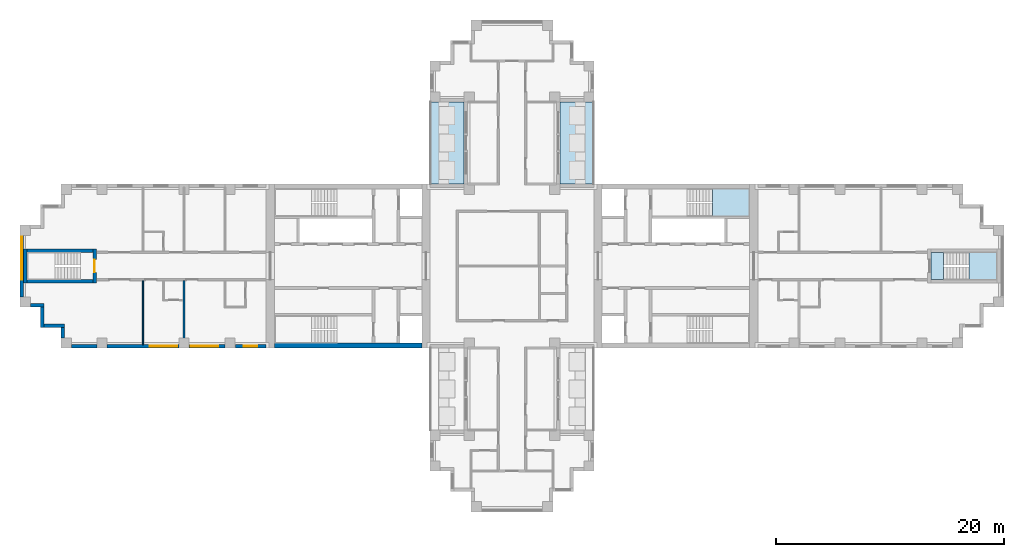
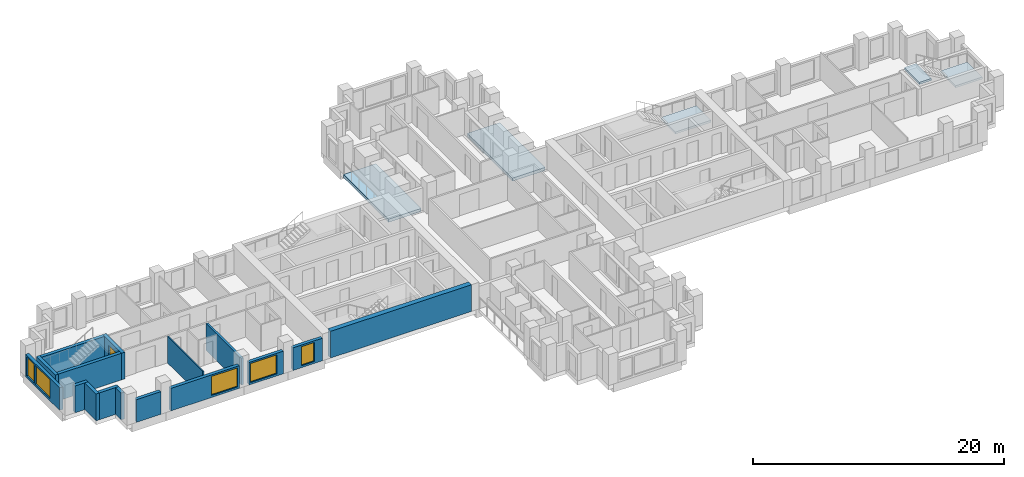
# One storey, part 2 of 12: 16 walls, 5 slabs, 5 windows, 1 door, 6 openings, 2 elements without a shape of their own.
"""IFC4 building model written with IfcOpenShell, lengths in metres."""

from ifc_helpers import new_model, si_unit, direction, frame, frame_2d, origin, place, context, subcontext, project, spatial, polyline, rectangle, outline, extrude, material, layer, layer_set, type_object, element, fill, aggregate, save


model = new_model("IFC4")

# Units and contexts
model_context = context("Model", 3, precision=1e-05, world=origin(), true_north=direction((0.0, 1.0)))
body_context = subcontext(model_context, "Body", "Model", "MODEL_VIEW")
ifc_project = project(units=[si_unit("LENGTHUNIT", "METRE"), si_unit("AREAUNIT", "SQUARE_METRE"), si_unit("VOLUMEUNIT", "CUBIC_METRE"), si_unit("PLANEANGLEUNIT", "RADIAN"), si_unit("MASSUNIT", "GRAM", prefix="KILO")], contexts=[model_context])

# Site, building, storey
site_placement = place(None, origin())
site = spatial("IfcSite", under=ifc_project, at=site_placement, CompositionType="ELEMENT")
building_placement = place(site_placement, origin())
building = spatial("IfcBuilding", under=site, at=building_placement, Name="Fustian Cross Tower", CompositionType="ELEMENT")
storey_placement = place(building_placement, frame((0.0, 0.0, 135.300048828125)))
storey = spatial("IfcBuildingStorey", under=building, at=storey_placement, Name="L42", CompositionType="ELEMENT", Elevation=135.300048828125)

# Slabs
ifc_material_1 = material(Name="Concrete C40/50", Category="concrete")
ifc_layer_1 = layer(ifc_material_1, 0.300048828125)
ifc_layer_set_1 = layer_set([ifc_layer_1], Name="Concrete C40/50")
slab_type_1 = type_object("IfcSlabType", Name="BS1 BALCONY SLAB 300", PredefinedType="FLOOR", material=ifc_layer_set_1)
slab_1_placement = place(storey_placement, frame((0.0, 0.0, -0.300048828125)))
element("IfcSlab", 1, at=slab_1_placement, inside=storey, type_object=slab_type_1, Name="Balcony slab", PredefinedType="FLOOR", context=body_context, shape_type="SweptSolid", body=[
    extrude(outline(polyline([(4.199951171875, 7.199951171875), (7.199951171875, 7.199951171875), (7.199951171875, 14.39990234375), (4.199951171875, 14.39990234375), (4.199951171875, 7.199951171875)])), origin(), (0.0, 0.0, 1.0), 0.300048828125),
])
slab_2_placement = place(storey_placement, frame((0.0, 0.0, -0.300048828125)))
element("IfcSlab", 2, at=slab_2_placement, inside=storey, type_object=slab_type_1, Name="Balcony slab", PredefinedType="FLOOR", context=body_context, shape_type="SweptSolid", body=[
    extrude(outline(polyline([(-7.199951171875, 7.199951171875), (-4.199951171875, 7.199951171875), (-4.199951171875, 14.39990234375), (-7.199951171875, 14.39990234375), (-7.199951171875, 7.199951171875)])), origin(), (0.0, 0.0, 1.0), 0.300048828125),
])

# Stair, slab
ifc_material_2 = material(Name="Concrete C50/60", Category="concrete")
stair_type_1 = type_object("IfcStairType", Name="STAIR 1150 HALF TURN", PredefinedType="HALF_TURN_STAIR", material=ifc_material_2)
stair_1_placement = place(storey_placement, origin())
stair_1 = element("IfcStair", 3, at=stair_1_placement, inside=storey, type_object=stair_type_1, Name="Stair ST1", PredefinedType="HALF_TURN_STAIR")
ifc_material_3 = material(Name="Concrete C50/60", Category="concrete")
ifc_layer_2 = layer(ifc_material_3, 0.199951171875)
ifc_layer_set_2 = layer_set([ifc_layer_2], Name="Concrete C50/60")
slab_type_2 = type_object("IfcSlabType", Name="STAIR LANDING", PredefinedType="LANDING", material=ifc_layer_set_2)
slab_3_placement = place(storey_placement, frame((0.0, 0.0, 1.300048828125)))
slab_3 = element("IfcSlab", 4, at=slab_3_placement, type_object=slab_type_2, Name="ST1 landing 1", PredefinedType="LANDING", context=body_context, shape_type="SweptSolid", body=[
    extrude(outline(polyline([(17.590087890625, 4.39990234375), (20.85009765625, 4.39990234375), (20.85009765625, 6.75), (17.590087890625, 6.75), (17.590087890625, 4.39990234375)])), origin(), (0.0, 0.0, 1.0), 0.199951171875),
])
aggregate(stair_1, [slab_3])

# Stair, slabs
ifc_material_4 = material(Name="Concrete C50/60", Category="concrete")
stair_type_2 = type_object("IfcStairType", Name="STAIR 1100 HALF TURN", PredefinedType="HALF_TURN_STAIR", material=ifc_material_4)
stair_2_placement = place(storey_placement, origin())
stair_2 = element("IfcStair", 5, at=stair_2_placement, inside=storey, type_object=stair_type_2, Name="Stair ST8", PredefinedType="HALF_TURN_STAIR")
slab_4_placement = place(storey_placement, frame((0.0, 0.0, 1.300048828125)))
slab_4 = element("IfcSlab", 6, at=slab_4_placement, type_object=slab_type_2, Name="ST8 landing 1", PredefinedType="LANDING", context=body_context, shape_type="SweptSolid", body=[
    extrude(outline(polyline([(40.139892578125, -1.199951171875), (42.60009765625, -1.199951171875), (42.60009765625, 1.199951171875), (40.139892578125, 1.199951171875), (40.139892578125, -1.199951171875)])), origin(), (0.0, 0.0, 1.0), 0.199951171875),
])
slab_5_placement = place(storey_placement, frame((0.0, 0.0, 2.800048828125)))
slab_5 = element("IfcSlab", 7, at=slab_5_placement, type_object=slab_type_2, Name="ST8 landing 2", PredefinedType="LANDING", context=body_context, shape_type="SweptSolid", body=[
    extrude(outline(polyline([(36.800048828125, -1.199951171875), (37.89990234375, -1.199951171875), (37.89990234375, 1.199951171875), (36.800048828125, 1.199951171875), (36.800048828125, -1.199951171875)])), origin(), (0.0, 0.0, 1.0), 0.199951171875),
])
aggregate(stair_2, [slab_4, slab_5])

# Walls
ifc_material_5 = material(Name="Concrete C60/75", Category="concrete")
ifc_layer_3 = layer(ifc_material_5, 0.449951171875)
ifc_layer_set_3 = layer_set([ifc_layer_3], Name="Concrete C60/75")
wall_type_1 = type_object("IfcWallType", Name="CORE FACADE WALL 450 C60/75", PredefinedType="SHEAR", material=ifc_layer_set_3)
wall_1_placement = place(storey_placement, frame((-7.89990234375, -6.97509765625, 0.0), z_axis=(0.0, 0.0, 1.0), x_axis=(-1.0, 0.0, 0.0)))
element("IfcWall", 8, at=wall_1_placement, inside=storey, type_object=wall_type_1, Name="Core facade wall", PredefinedType="SHEAR", context=body_context, shape_type="SweptSolid", body=[
    extrude(rectangle(XDim=12.9501953125, YDim=0.449951171875, at=frame_2d((6.47509765625, 0.0))), origin(), (0.0, 0.0, 1.0), 2.599853515625),
])
ifc_material_6 = material(Name="Plasterboard on steel stud", Category="steel")
ifc_layer_4 = layer(ifc_material_6, 0.10009765625)
ifc_layer_set_4 = layer_set([ifc_layer_4], Name="Plasterboard on steel stud")
wall_type_2 = type_object("IfcWallType", Name="PARTITION 100 STUD", PredefinedType="PARTITIONING", material=ifc_layer_set_4)
wall_2_placement = place(storey_placement, frame((-32.39990234375, -6.89990234375, 0.0), z_axis=(0.0, 0.0, 1.0), x_axis=(0.0, 1.0, 0.0)))
element("IfcWall", 9, at=wall_2_placement, inside=storey, type_object=wall_type_2, Name="Partition 3", PredefinedType="PARTITIONING", context=body_context, shape_type="SweptSolid", body=[
    extrude(rectangle(XDim=5.625, YDim=0.10009765625, at=frame_2d((2.8125, 0.0))), origin(), (0.0, 0.0, 1.0), 2.599853515625),
])
ifc_material_7 = material(Name="Plasterboard on steel stud", Category="steel")
ifc_layer_5 = layer(ifc_material_7, 0.199951171875)
ifc_layer_set_5 = layer_set([ifc_layer_5], Name="Plasterboard on steel stud")
wall_type_3 = type_object("IfcWallType", Name="PARTY WALL 200 EI 60", PredefinedType="PARTITIONING", material=ifc_layer_set_5)
wall_3_placement = place(storey_placement, frame((-28.800048828125, -6.89990234375, 0.0), z_axis=(0.0, 0.0, 1.0), x_axis=(0.0, 1.0, 0.0)))
element("IfcWall", 10, at=wall_3_placement, inside=storey, type_object=wall_type_3, Name="Partition 10", PredefinedType="PARTITIONING", context=body_context, shape_type="SweptSolid", body=[
    extrude(rectangle(XDim=5.625, YDim=0.199951171875, at=frame_2d((2.8125, 0.0))), origin(), (0.0, 0.0, 1.0), 2.599853515625),
])

# Wall, opening, door
ifc_material_8 = material(Name="Concrete C50/60", Category="concrete")
ifc_layer_6 = layer(ifc_material_8, 0.300048828125)
ifc_layer_set_6 = layer_set([ifc_layer_6], Name="Concrete C50/60")
wall_type_4 = type_object("IfcWallType", Name="STAIR ENCLOSURE WALL 300 C50/60", PredefinedType="SHEAR", material=ifc_layer_set_6)
wall_4_placement = place(storey_placement, frame((-36.64990234375, -1.5, 0.0), z_axis=(0.0, 0.0, 1.0), x_axis=(0.0, 1.0, 0.0)))
wall_4 = element("IfcWall", 11, at=wall_4_placement, inside=storey, type_object=wall_type_4, Name="Stair enclosure wall", PredefinedType="SHEAR", context=body_context, shape_type="SweptSolid", body=[
    extrude(rectangle(XDim=3.0, YDim=0.300048828125, at=frame_2d((1.5, 0.0))), origin(), (0.0, 0.0, 1.0), 2.599853515625),
])
opening_1_placement = place(wall_4_placement, frame((0.949951171875, 0.0, 0.0)))
opening_1 = element("IfcOpeningElement", 12, at=opening_1_placement, cuts=wall_4, Name="Opening CD-17-32", PredefinedType="OPENING", context=body_context, shape_type="SweptSolid", body=[
    extrude(rectangle(XDim=1.10009765625, YDim=2.10009765625, at=frame_2d((0.550048828125, 1.050048828125))), frame((0.0, 0.159912109375, 0.0), z_axis=(0.0, -1.0, 0.0), x_axis=(1.0, 0.0, 0.0)), (0.0, 0.0, 1.0), 0.320068359375),
])
ifc_material_9 = material(Name="Steel", Category="steel")
door_type = type_object("IfcDoorType", Name="FIRE DOOR FD60S 1100X2100", OperationType="SINGLE_SWING_LEFT", PredefinedType="DOOR", material=ifc_material_9)
door_placement = place(opening_1_placement, origin())
door = element("IfcDoor", 13, at=door_placement, inside=storey, type_object=door_type, Name="Core door CD-17-32", OperationType="SINGLE_SWING_LEFT", OverallHeight=2.10009765625, OverallWidth=1.10009765625, PredefinedType="DOOR", context=body_context, shape_type="SweptSolid", body=[
    extrude(rectangle(XDim=1.10009765625, YDim=2.10009765625, at=frame_2d((0.550048828125, 1.050048828125))), frame((0.0, 0.02490234375, 0.0), z_axis=(0.0, -1.0, 0.0), x_axis=(1.0, 0.0, 0.0)), (0.0, 0.0, 1.0), 0.050048828125),
])
fill(opening_1, door)

# Walls
wall_5_placement = place(storey_placement, frame((-42.75, -1.5, 0.0), z_axis=(0.0, 0.0, 1.0), x_axis=(0.0, 1.0, 0.0)))
element("IfcWall", 14, at=wall_5_placement, inside=storey, type_object=wall_type_4, Name="Stair enclosure wall", PredefinedType="SHEAR", context=body_context, shape_type="SweptSolid", body=[
    extrude(rectangle(XDim=3.0, YDim=0.300048828125, at=frame_2d((1.5, 0.0))), origin(), (0.0, 0.0, 1.0), 2.599853515625),
])
for number, where, z_axis, x_axis, name in (
    (15, (-36.800048828125, -1.35009765625, 0.0), (0.0, 0.0, 1.0), (-1.0, 0.0, 0.0), "Stair enclosure wall"),
    (16, (-36.800048828125, 1.35009765625, 0.0), (0.0, 0.0, 1.0), (-1.0, 0.0, 0.0), "Stair enclosure wall"),
):
    element("IfcWall", number, at=place(storey_placement, frame(where, z_axis=z_axis, x_axis=x_axis)), inside=storey, type_object=wall_type_4, Name=name, PredefinedType="SHEAR", context=body_context, shape_type="SweptSolid", body=[
        extrude(rectangle(XDim=5.800048828125, YDim=0.300048828125, at=frame_2d((2.89990234375, 0.0))), origin(), (0.0, 0.0, 1.0), 2.599853515625),
    ])

# Wall, openings, windows
ifc_material_10 = material(Name="Dark aluminium cladding on insulated backing wall", Category="aluminium")
ifc_layer_7 = layer(ifc_material_10, 0.300048828125)
ifc_layer_set_7 = layer_set([ifc_layer_7], Name="Dark aluminium cladding on insulated backing wall")
wall_type_5 = type_object("IfcWallType", Name="XW1 EXTERNAL WALL 300", PredefinedType="SOLIDWALL", material=ifc_layer_set_7)
wall_6_placement = place(storey_placement, frame((-43.050048828125, 2.699951171875, 0.0), z_axis=(0.0, 0.0, 1.0), x_axis=(0.0, -1.0, 0.0)))
wall_6 = element("IfcWall", 17, at=wall_6_placement, inside=storey, type_object=wall_type_5, Name="External wall", PredefinedType="SOLIDWALL", context=body_context, shape_type="SweptSolid", body=[
    extrude(rectangle(XDim=5.39990234375, YDim=0.300048828125, at=frame_2d((2.699951171875, 0.0))), origin(), (0.0, 0.0, 1.0), 2.199951171875),
])
opening_2_placement = place(wall_6_placement, frame((1.5, 0.0, 0.199951171875)))
opening_2 = element("IfcOpeningElement", 18, at=opening_2_placement, cuts=wall_6, Name="Opening WN1", PredefinedType="OPENING", context=body_context, shape_type="SweptSolid", body=[
    extrude(rectangle(XDim=2.39990234375, YDim=1.85009765625, at=frame_2d((1.199951171875, 0.925048828125))), frame((0.0, 0.159912109375, 0.0), z_axis=(0.0, -1.0, 0.0), x_axis=(1.0, 0.0, 0.0)), (0.0, 0.0, 1.0), 0.320068359375),
])
opening_3_placement = place(wall_6_placement, frame((0.14990234375, 0.0, 0.199951171875)))
opening_3 = element("IfcOpeningElement", 19, at=opening_3_placement, cuts=wall_6, Name="Opening WN3", PredefinedType="OPENING", context=body_context, shape_type="SweptSolid", body=[
    extrude(rectangle(XDim=1.199951171875, YDim=1.85009765625, at=frame_2d((0.60009765625, 0.925048828125))), frame((0.0, 0.159912109375, 0.0), z_axis=(0.0, -1.0, 0.0), x_axis=(1.0, 0.0, 0.0)), (0.0, 0.0, 1.0), 0.320068359375),
])
ifc_material_11 = material(Name="Dark anodised aluminium and double glazing", Category="aluminium")
window_type_1 = type_object("IfcWindowType", Name="WN1 WINDOW 2400X1850", PartitioningType="SINGLE_PANEL", PredefinedType="WINDOW", material=ifc_material_11)
window_1_placement = place(opening_2_placement, origin())
window_1 = element("IfcWindow", 20, at=window_1_placement, inside=storey, type_object=window_type_1, Name="Window", OverallHeight=1.85009765625, OverallWidth=2.39990234375, PartitioningType="SINGLE_PANEL", PredefinedType="WINDOW", context=body_context, shape_type="SweptSolid", body=[
    extrude(rectangle(XDim=2.39990234375, YDim=1.85009765625, at=frame_2d((1.199951171875, 0.925048828125))), frame((0.0, 0.030029296875, 0.0), z_axis=(0.0, -1.0, 0.0), x_axis=(1.0, 0.0, 0.0)), (0.0, 0.0, 1.0), 0.06005859375),
])
fill(opening_2, window_1)
ifc_material_12 = material(Name="Dark anodised aluminium and double glazing", Category="aluminium")
window_type_2 = type_object("IfcWindowType", Name="WN3 WINDOW 1200X1850", PartitioningType="SINGLE_PANEL", PredefinedType="WINDOW", material=ifc_material_12)
window_2_placement = place(opening_3_placement, origin())
window_2 = element("IfcWindow", 21, at=window_2_placement, inside=storey, type_object=window_type_2, Name="Window", OverallHeight=1.85009765625, OverallWidth=1.199951171875, PartitioningType="SINGLE_PANEL", PredefinedType="WINDOW", context=body_context, shape_type="SweptSolid", body=[
    extrude(rectangle(XDim=1.199951171875, YDim=1.85009765625, at=frame_2d((0.60009765625, 0.925048828125))), frame((0.0, 0.030029296875, 0.0), z_axis=(0.0, -1.0, 0.0), x_axis=(1.0, 0.0, 0.0)), (0.0, 0.0, 1.0), 0.06005859375),
])
fill(opening_3, window_2)

# Walls
wall_7_placement = place(storey_placement, frame((-42.300048828125, -3.449951171875, 0.0), z_axis=(0.0, 0.0, 1.0), x_axis=(1.0, 0.0, 0.0)))
element("IfcWall", 22, at=wall_7_placement, inside=storey, type_object=wall_type_5, Name="External wall", PredefinedType="SOLIDWALL", context=body_context, shape_type="SweptSolid", body=[
    extrude(rectangle(XDim=1.199951171875, YDim=0.300048828125, at=frame_2d((0.60009765625, 0.0))), origin(), (0.0, 0.0, 1.0), 2.599853515625),
])
wall_8_placement = place(storey_placement, frame((-41.25, -3.60009765625, 0.0), z_axis=(0.0, 0.0, 1.0), x_axis=(0.0, -1.0, 0.0)))
element("IfcWall", 23, at=wall_8_placement, inside=storey, type_object=wall_type_5, Name="External wall", PredefinedType="SOLIDWALL", context=body_context, shape_type="SweptSolid", body=[
    extrude(rectangle(XDim=1.7998046875, YDim=0.300048828125, at=frame_2d((0.89990234375, 0.0))), origin(), (0.0, 0.0, 1.0), 2.599853515625),
])
wall_9_placement = place(storey_placement, frame((-41.10009765625, -5.25, 0.0), z_axis=(0.0, 0.0, 1.0), x_axis=(1.0, 0.0, 0.0)))
element("IfcWall", 24, at=wall_9_placement, inside=storey, type_object=wall_type_5, Name="External wall", PredefinedType="SOLIDWALL", context=body_context, shape_type="SweptSolid", body=[
    extrude(rectangle(XDim=1.800048828125, YDim=0.300048828125, at=frame_2d((0.89990234375, 0.0))), origin(), (0.0, 0.0, 1.0), 2.599853515625),
])
wall_10_placement = place(storey_placement, frame((-39.449951171875, -5.39990234375, 0.0), z_axis=(0.0, 0.0, 1.0), x_axis=(0.0, -1.0, 0.0)))
element("IfcWall", 25, at=wall_10_placement, inside=storey, type_object=wall_type_5, Name="External wall", PredefinedType="SOLIDWALL", context=body_context, shape_type="SweptSolid", body=[
    extrude(rectangle(XDim=0.900146484375, YDim=0.300048828125, at=frame_2d((0.4501953125, 0.0))), origin(), (0.0, 0.0, 1.0), 2.599853515625),
])
wall_11_placement = place(storey_placement, frame((-38.699951171875, -7.050048828125, 0.0), z_axis=(0.0, 0.0, 1.0), x_axis=(1.0, 0.0, 0.0)))
element("IfcWall", 26, at=wall_11_placement, inside=storey, type_object=wall_type_5, Name="External wall", PredefinedType="SOLIDWALL", context=body_context, shape_type="SweptSolid", body=[
    extrude(rectangle(XDim=2.25, YDim=0.300048828125, at=frame_2d((1.125, 0.0))), origin(), (0.0, 0.0, 1.0), 2.199951171875),
])

# Wall, opening, window
wall_12_placement = place(storey_placement, frame((-35.550048828125, -7.050048828125, 0.0), z_axis=(0.0, 0.0, 1.0), x_axis=(1.0, 0.0, 0.0)))
wall_12 = element("IfcWall", 27, at=wall_12_placement, inside=storey, type_object=wall_type_5, Name="External wall", PredefinedType="SOLIDWALL", context=body_context, shape_type="SweptSolid", body=[
    extrude(rectangle(XDim=6.300048828125, YDim=0.300048828125, at=frame_2d((3.14990234375, 0.0))), origin(), (0.0, 0.0, 1.0), 2.199951171875),
])
opening_4_placement = place(wall_12_placement, frame((3.75, 0.0, 0.199951171875)))
opening_4 = element("IfcOpeningElement", 28, at=opening_4_placement, cuts=wall_12, Name="Opening WN1", PredefinedType="OPENING", context=body_context, shape_type="SweptSolid", body=[
    extrude(rectangle(XDim=2.39990234375, YDim=1.85009765625, at=frame_2d((1.199951171875, 0.925048828125))), frame((0.0, 0.159912109375, 0.0), z_axis=(0.0, -1.0, 0.0), x_axis=(1.0, 0.0, 0.0)), (0.0, 0.0, 1.0), 0.320068359375),
])
window_3_placement = place(opening_4_placement, origin())
window_3 = element("IfcWindow", 29, at=window_3_placement, inside=storey, type_object=window_type_1, Name="Window", OverallHeight=1.85009765625, OverallWidth=2.39990234375, PartitioningType="SINGLE_PANEL", PredefinedType="WINDOW", context=body_context, shape_type="SweptSolid", body=[
    extrude(rectangle(XDim=2.39990234375, YDim=1.85009765625, at=frame_2d((1.199951171875, 0.925048828125))), frame((0.0, 0.030029296875, 0.0), z_axis=(0.0, -1.0, 0.0), x_axis=(1.0, 0.0, 0.0)), (0.0, 0.0, 1.0), 0.06005859375),
])
fill(opening_4, window_3)

wall_13_placement = place(storey_placement, frame((-28.35009765625, -7.050048828125, 0.0), z_axis=(0.0, 0.0, 1.0), x_axis=(1.0, 0.0, 0.0)))
wall_13 = element("IfcWall", 30, at=wall_13_placement, inside=storey, type_object=wall_type_5, Name="External wall", PredefinedType="SOLIDWALL", context=body_context, shape_type="SweptSolid", body=[
    extrude(rectangle(XDim=3.150146484375, YDim=0.300048828125, at=frame_2d((1.5751953125, 0.0))), origin(), (0.0, 0.0, 1.0), 2.199951171875),
])
opening_5_placement = place(wall_13_placement, frame((0.14990234375, 0.0, 0.199951171875)))
opening_5 = element("IfcOpeningElement", 31, at=opening_5_placement, cuts=wall_13, Name="Opening WN1", PredefinedType="OPENING", context=body_context, shape_type="SweptSolid", body=[
    extrude(rectangle(XDim=2.39990234375, YDim=1.85009765625, at=frame_2d((1.199951171875, 0.925048828125))), frame((0.0, 0.159912109375, 0.0), z_axis=(0.0, -1.0, 0.0), x_axis=(1.0, 0.0, 0.0)), (0.0, 0.0, 1.0), 0.320068359375),
])
window_4_placement = place(opening_5_placement, origin())
window_4 = element("IfcWindow", 32, at=window_4_placement, inside=storey, type_object=window_type_1, Name="Window", OverallHeight=1.85009765625, OverallWidth=2.39990234375, PartitioningType="SINGLE_PANEL", PredefinedType="WINDOW", context=body_context, shape_type="SweptSolid", body=[
    extrude(rectangle(XDim=2.39990234375, YDim=1.85009765625, at=frame_2d((1.199951171875, 0.925048828125))), frame((0.0, 0.030029296875, 0.0), z_axis=(0.0, -1.0, 0.0), x_axis=(1.0, 0.0, 0.0)), (0.0, 0.0, 1.0), 0.06005859375),
])
fill(opening_5, window_4)

wall_14_placement = place(storey_placement, frame((-24.300048828125, -7.050048828125, 0.0), z_axis=(0.0, 0.0, 1.0), x_axis=(1.0, 0.0, 0.0)))
wall_14 = element("IfcWall", 33, at=wall_14_placement, inside=storey, type_object=wall_type_5, Name="External wall", PredefinedType="SOLIDWALL", context=body_context, shape_type="SweptSolid", body=[
    extrude(rectangle(XDim=2.699951171875, YDim=0.300048828125, at=frame_2d((1.35009765625, 0.0))), origin(), (0.0, 0.0, 1.0), 2.199951171875),
])
opening_6_placement = place(wall_14_placement, frame((0.75, 0.0, 0.199951171875)))
opening_6 = element("IfcOpeningElement", 34, at=opening_6_placement, cuts=wall_14, Name="Opening WN3", PredefinedType="OPENING", context=body_context, shape_type="SweptSolid", body=[
    extrude(rectangle(XDim=1.199951171875, YDim=1.85009765625, at=frame_2d((0.60009765625, 0.925048828125))), frame((0.0, 0.159912109375, 0.0), z_axis=(0.0, -1.0, 0.0), x_axis=(1.0, 0.0, 0.0)), (0.0, 0.0, 1.0), 0.320068359375),
])
window_5_placement = place(opening_6_placement, origin())
window_5 = element("IfcWindow", 35, at=window_5_placement, inside=storey, type_object=window_type_2, Name="Window", OverallHeight=1.85009765625, OverallWidth=1.199951171875, PartitioningType="SINGLE_PANEL", PredefinedType="WINDOW", context=body_context, shape_type="SweptSolid", body=[
    extrude(rectangle(XDim=1.199951171875, YDim=1.85009765625, at=frame_2d((0.60009765625, 0.925048828125))), frame((0.0, 0.030029296875, 0.0), z_axis=(0.0, -1.0, 0.0), x_axis=(1.0, 0.0, 0.0)), (0.0, 0.0, 1.0), 0.06005859375),
])
fill(opening_6, window_5)

save(model, "model.ifc")
